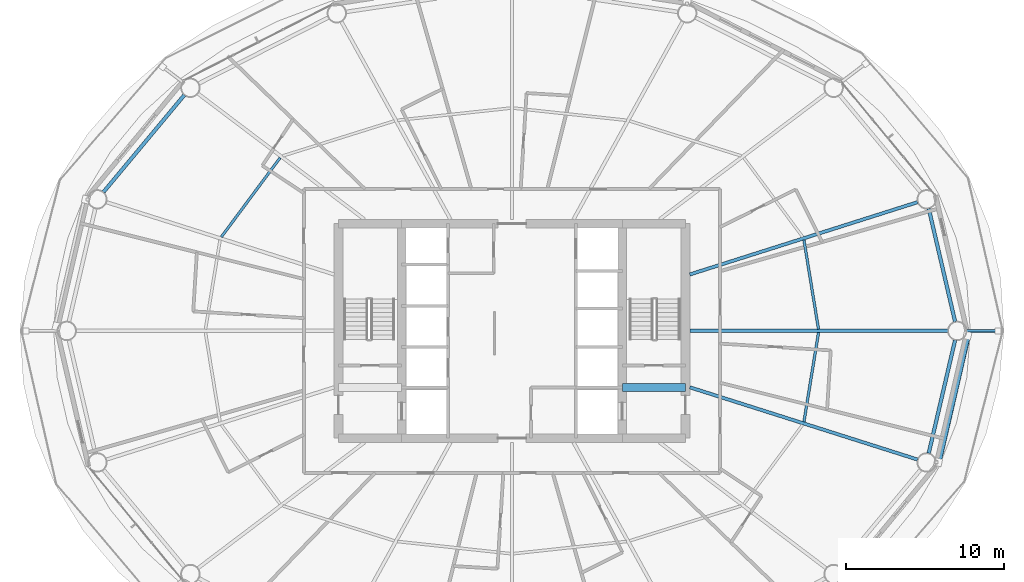
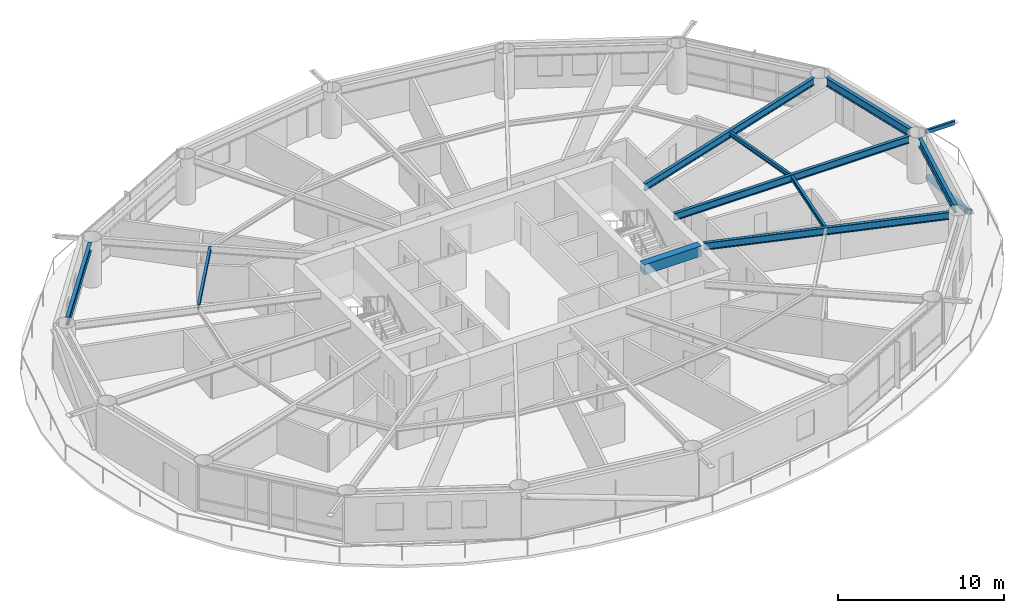
# One storey, part 7 of 24: 10 beams, 2 members.
"""IFC4 building model written with IfcOpenShell, lengths in metres."""

import ifcopenshell
import ifcopenshell.guid

model = None  # the IFC model being written
_history = None  # IfcOwnerHistory: only IFC2X3 demands one
_inside = {}  # id of a spatial element -> (the spatial element, [elements in it])
_under = {}  # id of a project, library or spatial element -> (it, [spatial elements below it])
_declared = {}  # id of a project -> (the project, [libraries it declares])
_typed = {}  # id of a type object -> (the type object, [elements of that type])
_made_of = {}  # id of a material, layer set ... -> (it, [elements and type objects made of it])


def new_model(schema):
    """Start an empty IFC model of exactly this schema.

    Asked for "IFC4X3", IfcOpenShell would pick the latest addendum, in which some entities
    have other attributes; the version numbers below select the first issue.
    IFC2X3 requires an IfcOwnerHistory on every rooted entity: one is made here for all.
    """
    global model, _history
    if schema == "IFC4X3":
        model = ifcopenshell.file(schema_version=(4, 3, 0, 0))
    else:
        model = ifcopenshell.file(schema=schema)
    _inside.clear()
    _under.clear()
    _declared.clear()
    _typed.clear()
    _made_of.clear()
    _history = None
    if model.schema == "IFC2X3":
        org = make("IfcOrganization", Name="unknown")
        user = make(
            "IfcPersonAndOrganization",
            ThePerson=make("IfcPerson", FamilyName="unknown"),
            TheOrganization=org,
        )
        app = make(
            "IfcApplication",
            ApplicationDeveloper=org,
            Version="unknown",
            ApplicationFullName="unknown",
            ApplicationIdentifier="unknown",
        )
        _history = make(
            "IfcOwnerHistory",
            OwningUser=user,
            OwningApplication=app,
            ChangeAction="ADDED",
            CreationDate=0,
        )
    return model


def make(cls, **values):
    """One entity of the class cls with the attributes given. An attribute that is None is left unset."""
    return model.create_entity(
        cls, **{name: value for name, value in values.items() if value is not None}
    )


def rooted(cls, **values):
    """An entity with a GlobalId (a new one), such as an element, a storey or a relation."""
    return make(cls, GlobalId=ifcopenshell.guid.new(), OwnerHistory=_history, **values)


def si_unit(unit_type, name, prefix=None):
    """IfcSIUnit, for example si_unit("LENGTHUNIT", "METRE", prefix="MILLI")."""
    return make("IfcSIUnit", UnitType=unit_type, Prefix=prefix, Name=name)


def assignment(units):
    """IfcUnitAssignment: the units of a project."""
    return None if units is None else make("IfcUnitAssignment", Units=units)


def point(xyz):
    """IfcCartesianPoint."""
    return None if xyz is None else make("IfcCartesianPoint", Coordinates=xyz)


def direction(xyz):
    """IfcDirection."""
    return None if xyz is None else make("IfcDirection", DirectionRatios=xyz)


def frame(location, z_axis=None, x_axis=None):
    """IfcAxis2Placement3D, a coordinate frame: its origin and axes. An axis left out is left unset."""
    return make(
        "IfcAxis2Placement3D",
        Location=point(location),
        Axis=direction(z_axis),
        RefDirection=direction(x_axis),
    )


def frame_2d(location, x_axis=None):
    """IfcAxis2Placement2D, a coordinate frame in the plane: its origin and x axis."""
    return make(
        "IfcAxis2Placement2D", Location=point(location), RefDirection=direction(x_axis)
    )


def origin():
    """The frame at (0, 0, 0) with its axes left unset."""
    return frame((0.0, 0.0, 0.0))


def origin_2d():
    """The frame at (0, 0) in the plane with its x axis left unset."""
    return frame_2d((0.0, 0.0))


def place(relative_to, where):
    """IfcLocalPlacement: puts the frame where relative to a parent placement (None: the world)."""
    return make(
        "IfcLocalPlacement", PlacementRelTo=relative_to, RelativePlacement=where
    )


def context(
    kind, dimensions, precision=None, world=None, true_north=None, identifier=None
):
    """IfcGeometricRepresentationContext, for example the 3D "Model" context."""
    return make(
        "IfcGeometricRepresentationContext",
        ContextIdentifier=identifier,
        ContextType=kind,
        CoordinateSpaceDimension=dimensions,
        Precision=precision,
        WorldCoordinateSystem=world,
        TrueNorth=true_north,
    )


def subcontext(parent, identifier, kind, view, scale=None):
    """IfcGeometricRepresentationSubContext, for example "Body" below "Model"."""
    return make(
        "IfcGeometricRepresentationSubContext",
        ContextIdentifier=identifier,
        ContextType=kind,
        ParentContext=parent,
        TargetScale=scale,
        TargetView=view,
    )


def project(units=None, contexts=None):
    """IfcProject with its units and contexts."""
    return rooted(
        "IfcProject",
        Name="project",
        RepresentationContexts=contexts,
        UnitsInContext=assignment(units),
    )


def spatial(cls, under=None, at=None, **own):
    """A site, building, storey or space (cls), placed at a placement, below another one or the project."""
    s = rooted(cls, ObjectPlacement=at, **own)
    if under is not None:
        _under.setdefault(under.id(), (under, []))[1].append(s)
    return s


def profile(cls, at=None, kind="AREA", **sizes):
    """A parametric profile (cls). Its sizes go by their IFC names, for example OverallWidth=200.0."""
    return make(cls, ProfileType=kind, Position=at, **sizes)


def rectangle(**sizes):
    """IfcRectangleProfileDef."""
    return profile("IfcRectangleProfileDef", **sizes)


def hollow_rectangle(**sizes):
    """IfcRectangleHollowProfileDef."""
    return profile("IfcRectangleHollowProfileDef", **sizes)


def hollow_circle(**sizes):
    """IfcCircleHollowProfileDef."""
    return profile("IfcCircleHollowProfileDef", **sizes)


def i_section(**sizes):
    """IfcIShapeProfileDef."""
    return profile("IfcIShapeProfileDef", **sizes)


def extrude(swept, where, along, depth):
    """IfcExtrudedAreaSolid: the profile swept, set in the frame where, extruded along a direction by depth."""
    return make(
        "IfcExtrudedAreaSolid",
        SweptArea=swept,
        Position=where,
        ExtrudedDirection=direction(along),
        Depth=depth,
    )


def shape(context_of_items, identifier, shape_type, items):
    """IfcShapeRepresentation: the items that make up one representation, for example the "Body"."""
    return make(
        "IfcShapeRepresentation",
        ContextOfItems=context_of_items,
        RepresentationIdentifier=identifier,
        RepresentationType=shape_type,
        Items=items,
    )


def material(Name=None, Category=None):
    """IfcMaterial."""
    return make("IfcMaterial", Name=Name, Category=Category)


def material_profile(
    of_material, cross_section, Name=None, Category=None, Priority=None
):
    """IfcMaterialProfile: a cross section and its material."""
    return make(
        "IfcMaterialProfile",
        Name=Name,
        Material=of_material,
        Profile=cross_section,
        Priority=Priority,
        Category=Category,
    )


def profile_set(profiles, Name=None, composite=None):
    """IfcMaterialProfileSet."""
    return make(
        "IfcMaterialProfileSet",
        Name=Name,
        MaterialProfiles=profiles,
        CompositeProfile=composite,
    )


def made_of(thing, what):
    """Note that an element or type object is made of a material, layer set ...; save() writes the relation."""
    if what is not None:
        _made_of.setdefault(what.id(), (what, []))[1].append(thing)
    return thing


def type_object(cls, material=None, **own):
    """A type object (cls), such as IfcWallType, which elements share."""
    return made_of(rooted(cls, **own), material)


def element(
    cls,
    number,
    at=None,
    inside=None,
    cuts=None,
    type_object=None,
    material=None,
    context=None,
    identifier="Body",
    shape_type=None,
    held_by="IfcProductDefinitionShape",
    body=None,
    shapes=None,
    **own,
):
    """One element of the class cls, such as IfcWall. Its Tag is "e" and its number.

    at: its placement. inside: the storey or other place that contains it. cuts: it is an
    opening in that element (IfcRelVoidsElement). A single representation is given by context,
    identifier, shape_type and body (its items); several are given by shapes. held_by: the class
    of the entity that holds the representations. save() writes the other relations.
    """
    e = rooted(cls, Tag="e%d" % number, ObjectPlacement=at, **own)
    if body is not None:
        shapes = [shape(context, identifier, shape_type, body)]
    if shapes is not None:
        e.Representation = make(held_by, Representations=shapes)
    if inside is not None:
        _inside.setdefault(inside.id(), (inside, []))[1].append(e)
    if cuts is not None:
        rooted(
            "IfcRelVoidsElement", RelatingBuildingElement=cuts, RelatedOpeningElement=e
        )
    if type_object is not None:
        _typed.setdefault(type_object.id(), (type_object, []))[1].append(e)
    return made_of(e, material)


def aggregate(whole, parts):
    """IfcRelAggregates: a whole, such as a stair, and the parts it consists of."""
    return rooted("IfcRelAggregates", RelatingObject=whole, RelatedObjects=parts)


def save(model, path):
    """Write the relations noted so far, then the file.

    IfcRelAggregates (storeys below a building ...), IfcRelContainedInSpatialStructure (elements
    in a storey), IfcRelDefinesByType, IfcRelAssociatesMaterial and IfcRelDeclares: one each for
    every whole, place, type object, material and project.
    """
    for whole, parts in _under.values():
        aggregate(whole, parts)
    for where, things in _inside.values():
        rooted(
            "IfcRelContainedInSpatialStructure",
            RelatedElements=things,
            RelatingStructure=where,
        )
    for kind, things in _typed.values():
        rooted("IfcRelDefinesByType", RelatedObjects=things, RelatingType=kind)
    for what, things in _made_of.values():
        rooted("IfcRelAssociatesMaterial", RelatedObjects=things, RelatingMaterial=what)
    for by, libraries in _declared.values():
        rooted("IfcRelDeclares", RelatingContext=by, RelatedDefinitions=libraries)
    model.write(path)


model = new_model("IFC4")

# Units and contexts
model_context = context("Model", 3, precision=1e-05, world=origin(), true_north=direction((0.0, 1.0)))
body_context = subcontext(model_context, "Body", "Model", "MODEL_VIEW")
ifc_project = project(units=[si_unit("LENGTHUNIT", "METRE"), si_unit("AREAUNIT", "SQUARE_METRE"), si_unit("VOLUMEUNIT", "CUBIC_METRE"), si_unit("PLANEANGLEUNIT", "RADIAN"), si_unit("MASSUNIT", "GRAM", prefix="KILO")], contexts=[model_context])

# Site, building, storey
site_placement = place(None, origin())
site = spatial("IfcSite", under=ifc_project, at=site_placement, CompositionType="ELEMENT")
building_placement = place(site_placement, origin())
building = spatial("IfcBuilding", under=site, at=building_placement, Name="Sarneth Arch Tower", CompositionType="ELEMENT")
storey_placement = place(building_placement, frame((0.0, 0.0, 94.800048828125)))
storey = spatial("IfcBuildingStorey", under=building, at=storey_placement, Name="L23", CompositionType="ELEMENT", Elevation=94.800048828125)

# Beams
ifc_material_1 = material(Name="Steel S355", Category="steel")
ifc_material_profile_1 = material_profile(ifc_material_1, i_section(OverallWidth=0.1669921875, OverallDepth=0.31689453125, WebThickness=0.007568359375, FlangeThickness=0.01318359375, FilletRadius=0.012939453125, at=origin_2d()), Name="W310x52")
ifc_profile_set_1 = profile_set([ifc_material_profile_1], Name="Steel S355")
beam_type_1 = type_object("IfcBeamType", Name="BM-JOIST-310B", PredefinedType="JOIST", material=ifc_profile_set_1)
beam_1_placement = place(storey_placement, frame((67.438720703125, 42.10400390625, 3.221435546875), z_axis=(-0.16118181609, 0.986924729735, 0.0), x_axis=(-0.986924729735, -0.16118181609, 0.0)))
element("IfcBeam", 1, at=beam_1_placement, inside=storey, type_object=beam_type_1, Name="L23 Secondary floor joist 01", PredefinedType="JOIST", context=body_context, shape_type="SweptSolid", body=[
    extrude(i_section(OverallWidth=0.1669921875, OverallDepth=0.31689453125, WebThickness=0.007568359375, FlangeThickness=0.01318359375, FilletRadius=0.012939453125, at=origin_2d()), origin(), (0.0, 0.0, 1.0), 5.736083984375),
])
beam_2_placement = place(storey_placement, frame((33.296630859375, 52.9794921875, 3.221435546875), z_axis=(-0.596098474255, -0.802911333206, 0.0), x_axis=(0.802911333206, -0.596098474255, 0.0)))
element("IfcBeam", 2, at=beam_2_placement, inside=storey, type_object=beam_type_1, Name="L23 Secondary floor joist 07", PredefinedType="JOIST", context=body_context, shape_type="SweptSolid", body=[
    extrude(i_section(OverallWidth=0.1669921875, OverallDepth=0.31689453125, WebThickness=0.007568359375, FlangeThickness=0.01318359375, FilletRadius=0.012939453125, at=origin_2d()), origin(), (0.0, 0.0, 1.0), 6.259033203125),
])
beam_3_placement = place(storey_placement, frame((66.51416015625, 36.23486328125, 3.221435546875), z_axis=(0.16118181609, 0.986924729735, 0.0), x_axis=(-0.986924729735, 0.16118181609, 0.0)))
element("IfcBeam", 3, at=beam_3_placement, inside=storey, type_object=beam_type_1, Name="L23 Secondary floor joist 16", PredefinedType="JOIST", context=body_context, shape_type="SweptSolid", body=[
    extrude(i_section(OverallWidth=0.1669921875, OverallDepth=0.31689453125, WebThickness=0.007568359375, FlangeThickness=0.01318359375, FilletRadius=0.012939453125, at=origin_2d()), origin(), (0.0, 0.0, 1.0), 5.736083984375),
])
ifc_material_2 = material(Name="Concrete C50/60", Category="concrete")
ifc_material_profile_2 = material_profile(ifc_material_2, rectangle(XDim=0.5, YDim=0.75, at=origin_2d()), Name="RC-500x750")
ifc_profile_set_2 = profile_set([ifc_material_profile_2], Name="Concrete C50/60")
beam_type_2 = type_object("IfcBeamType", Name="BM-LINTEL-RC", PredefinedType="LINTEL", material=ifc_profile_set_2)
beam_4_placement = place(storey_placement, frame((55.0, 38.39990234375, 3.0048828125), z_axis=(1.0, 0.0, 0.0), x_axis=(0.0, 1.0, 0.0)))
element("IfcBeam", 4, at=beam_4_placement, inside=storey, type_object=beam_type_2, Name="L23 Core coupling lintel E", PredefinedType="LINTEL", context=body_context, shape_type="SweptSolid", body=[
    extrude(rectangle(XDim=0.5, YDim=0.75, at=origin_2d()), origin(), (0.0, 0.0, 1.0), 4.0),
])
ifc_material_3 = material(Name="Steel S355", Category="steel")
ifc_material_profile_3 = material_profile(ifc_material_3, i_section(OverallWidth=0.2109375, OverallDepth=0.5390625, WebThickness=0.01171875, FlangeThickness=0.018798828125, FilletRadius=0.01806640625, at=origin_2d()), Name="W530x109")
ifc_profile_set_3 = profile_set([ifc_material_profile_3], Name="Steel S355")
beam_type_3 = type_object("IfcBeamType", Name="BM-RAD-530B", PredefinedType="BEAM", material=ifc_profile_set_3)
beam_5_placement = place(storey_placement, frame((59.27490234375, 42.0, 3.1103515625), z_axis=(1.0, 0.0, 0.0), x_axis=(0.0, 1.0, 0.0)))
element("IfcBeam", 5, at=beam_5_placement, inside=storey, type_object=beam_type_3, Name="L23 Radial floor girder 01", PredefinedType="BEAM", context=body_context, shape_type="SweptSolid", body=[
    extrude(i_section(OverallWidth=0.2109375, OverallDepth=0.5390625, WebThickness=0.01171875, FlangeThickness=0.018798828125, FilletRadius=0.01806640625, at=origin_2d()), origin(), (0.0, 0.0, 1.0), 16.36181640625),
])
for number, where, z_axis, x_axis, name in (
    (6, (59.27490234375, 45.57763671875, 3.1103515625), (0.953162461637, 0.302458793435, 0.0), (-0.302458793435, 0.953162461637, 0.0), "L23 Radial floor girder 02"),
    (7, (59.27490234375, 38.42236328125, 3.1103515625), (0.953162461637, -0.302458793435, 0.0), (0.302458793435, 0.953162461637, 0.0), "L23 Radial floor girder 16"),
):
    element("IfcBeam", number, at=place(storey_placement, frame(where, z_axis=z_axis, x_axis=x_axis)), inside=storey, type_object=beam_type_3, Name=name, PredefinedType="BEAM", context=body_context, shape_type="SweptSolid", body=[
        extrude(i_section(OverallWidth=0.2109375, OverallDepth=0.5390625, WebThickness=0.01171875, FlangeThickness=0.018798828125, FilletRadius=0.01806640625, at=origin_2d()), origin(), (0.0, 0.0, 1.0), 15.154052734375),
    ])
ifc_material_4 = material(Name="Steel S355", Category="steel")
ifc_material_profile_4 = material_profile(ifc_material_4, i_section(OverallWidth=0.22900390625, OverallDepth=0.612060546875, WebThickness=0.011962890625, FlangeThickness=0.01953125, FilletRadius=0.01904296875, at=origin_2d()), Name="W610x125")
ifc_profile_set_4 = profile_set([ifc_material_profile_4], Name="Steel S355")
beam_type_4 = type_object("IfcBeamType", Name="BM-SPAN-610C", PredefinedType="SPANDREL", material=ifc_profile_set_4)
beam_6_placement = place(storey_placement, frame((76.100341796875, 42.584228515625, 3.073974609375), z_axis=(-0.227088175252, 0.973874201661, 0.0), x_axis=(-0.973874201661, -0.227088175252, 0.0)))
element("IfcBeam", 8, at=beam_6_placement, inside=storey, type_object=beam_type_4, Name="L23 Perimeter spandrel beam 01", PredefinedType="SPANDREL", context=body_context, shape_type="SweptSolid", body=[
    extrude(i_section(OverallWidth=0.22900390625, OverallDepth=0.612060546875, WebThickness=0.011962890625, FlangeThickness=0.01953125, FilletRadius=0.01904296875, at=origin_2d()), origin(), (0.0, 0.0, 1.0), 7.366455078125),
])
beam_7_placement = place(storey_placement, frame((27.21826171875, 56.9541015625, 3.073974609375), z_axis=(-0.640163403463, -0.768238775946, 0.0), x_axis=(0.768238775946, -0.640163403463, 0.0)))
element("IfcBeam", 9, at=beam_7_placement, inside=storey, type_object=beam_type_4, Name="L23 Perimeter spandrel beam 07", PredefinedType="SPANDREL", context=body_context, shape_type="SweptSolid", body=[
    extrude(i_section(OverallWidth=0.22900390625, OverallDepth=0.612060546875, WebThickness=0.011962890625, FlangeThickness=0.01953125, FilletRadius=0.01904296875, at=origin_2d()), origin(), (0.0, 0.0, 1.0), 8.006103515625),
])
beam_8_placement = place(storey_placement, frame((74.427490234375, 34.24169921875, 3.073974609375), z_axis=(0.227088175252, 0.973874201661, 0.0), x_axis=(-0.973874201661, 0.227088175252, 0.0)))
element("IfcBeam", 10, at=beam_8_placement, inside=storey, type_object=beam_type_4, Name="L23 Perimeter spandrel beam 16", PredefinedType="SPANDREL", context=body_context, shape_type="SweptSolid", body=[
    extrude(i_section(OverallWidth=0.22900390625, OverallDepth=0.612060546875, WebThickness=0.011962890625, FlangeThickness=0.01953125, FilletRadius=0.01904296875, at=origin_2d()), origin(), (0.0, 0.0, 1.0), 7.366455078125),
])

# Members
ifc_material_5 = material(Name="Steel S355", Category="steel")
ifc_material_profile_5 = material_profile(ifc_material_5, hollow_rectangle(XDim=0.199951171875, YDim=0.300048828125, WallThickness=0.012451171875, InnerFilletRadius=0.018798828125, OuterFilletRadius=0.03125, at=origin_2d()), Name="RHS300x200x12.5")
ifc_profile_set_5 = profile_set([ifc_material_profile_5], Name="Steel S355")
member_type_1 = type_object("IfcMemberType", Name="MEM-CANT-STRUT", PredefinedType="STRUT", material=ifc_profile_set_5)
member_1_placement = place(storey_placement, frame((76.836669921875, 42.0, 3.219970703125), z_axis=(1.0, 0.0, 0.0), x_axis=(0.0, 1.0, 0.0)))
element("IfcMember", 11, at=member_1_placement, inside=storey, type_object=member_type_1, Name="L23 Balcony cantilever bracket 01", PredefinedType="STRUT", context=body_context, shape_type="SweptSolid", body=[
    extrude(hollow_rectangle(XDim=0.199951171875, YDim=0.300048828125, WallThickness=0.012451171875, InnerFilletRadius=0.018798828125, OuterFilletRadius=0.03125, at=origin_2d()), origin(), (0.0, 0.0, 1.0), 1.99169921875),
])
ifc_material_6 = material(Name="Steel S355", Category="steel")
ifc_material_profile_6 = material_profile(ifc_material_6, hollow_circle(Radius=0.202880859375, WallThickness=0.01611328125, at=origin_2d()), Name="CHS406x16")
ifc_profile_set_6 = profile_set([ifc_material_profile_6], Name="Steel S355")
member_type_2 = type_object("IfcMemberType", Name="MEM-DIAG-BR2", PredefinedType="BRACE", material=ifc_profile_set_6)
member_2_placement = place(storey_placement, frame((76.878662109375, 41.707763671875, 0.02001953125), z_axis=(-0.211851767223, -0.915872886243, 0.341021531532), x_axis=(0.974275349464, -0.225360918143, 0.0)))
element("IfcMember", 12, at=member_2_placement, inside=storey, type_object=member_type_2, Name="L23 Perimeter frame diagonal 16", PredefinedType="BRACE", context=body_context, shape_type="SweptSolid", body=[
    extrude(hollow_circle(Radius=0.202880859375, WallThickness=0.01611328125, at=origin_2d()), origin(), (0.0, 0.0, 1.0), 8.775634765625),
])

save(model, "model.ifc")
